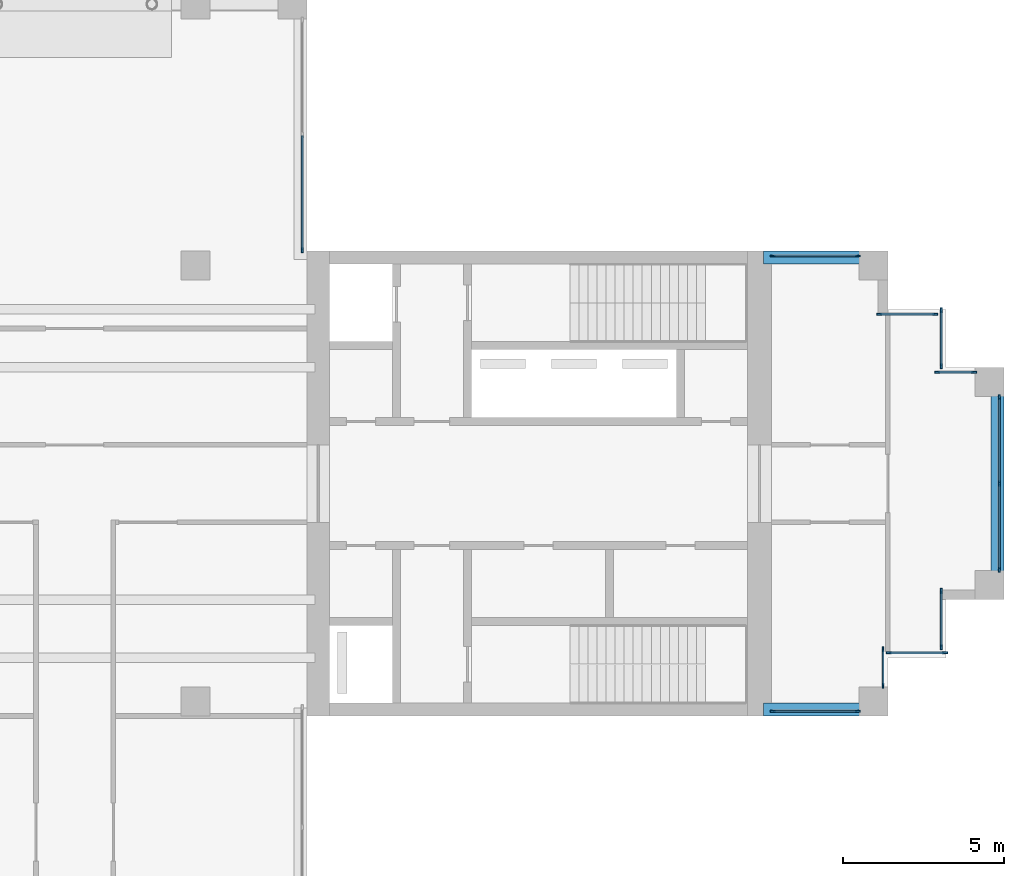
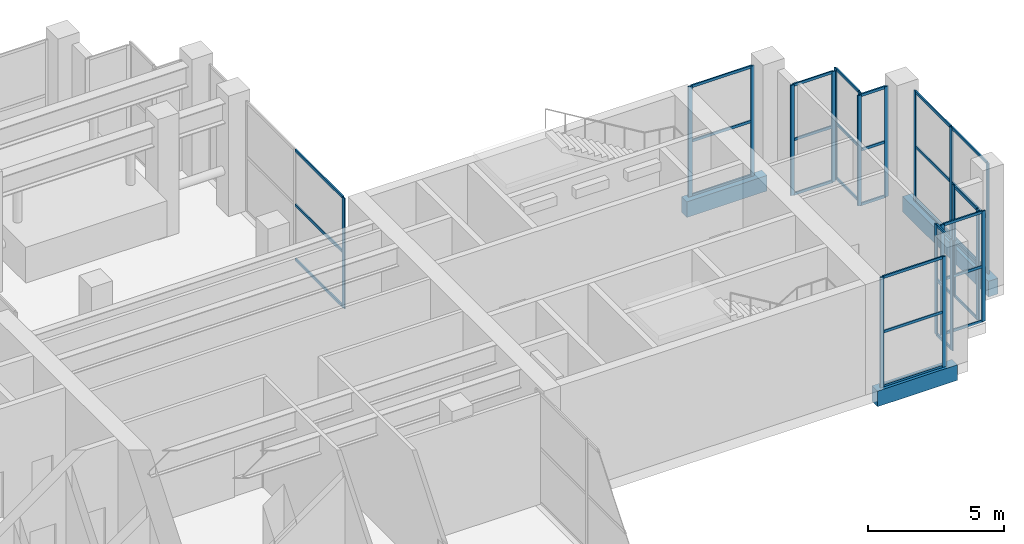
# One storey, part 5 of 13: 53 members, 3 beams, 10 elements without a shape of their own.
"""IFC4 building model written with IfcOpenShell, lengths in metres."""

from ifc_helpers import new_model, si_unit, direction, frame, origin, origin_2d, place, context, subcontext, project, spatial, rectangle, extrude, material, material_profile, profile_set, type_object, element, aggregate, save


model = new_model("IFC4")

# Units and contexts
model_context = context("Model", 3, precision=1e-05, world=origin(), true_north=direction((0.0, 1.0)))
body_context = subcontext(model_context, "Body", "Model", "MODEL_VIEW")
ifc_project = project(units=[si_unit("LENGTHUNIT", "METRE"), si_unit("AREAUNIT", "SQUARE_METRE"), si_unit("VOLUMEUNIT", "CUBIC_METRE"), si_unit("PLANEANGLEUNIT", "RADIAN"), si_unit("MASSUNIT", "GRAM", prefix="KILO")], contexts=[model_context])

# Site, building, storey
site_placement = place(None, origin())
site = spatial("IfcSite", under=ifc_project, at=site_placement, CompositionType="ELEMENT")
building_placement = place(site_placement, origin())
building = spatial("IfcBuilding", under=site, at=building_placement, Name="Fustian Cross Tower", CompositionType="ELEMENT")
storey_placement = place(building_placement, frame((0.0, 0.0, 242.10009765625)))
storey = spatial("IfcBuildingStorey", under=building, at=storey_placement, Name="L76", CompositionType="ELEMENT", Elevation=242.10009765625)

# Curtain wall, members
ifc_material_1 = material(Name="Glass", Category="glass")
curtain_wall_type = type_object("IfcCurtainWallType", Name="CW5 CURTAIN WALL", PredefinedType="NOTDEFINED", material=ifc_material_1)
curtain_wall_1_placement = place(storey_placement, origin())
curtain_wall_1 = element("IfcCurtainWall", 1, at=curtain_wall_1_placement, inside=storey, type_object=curtain_wall_type, Name="Curtain wall CW5", PredefinedType="NOTDEFINED")
ifc_material_2 = material(Name="Aluminium alloy 6063", Category="aluminium")
ifc_material_profile_1 = material_profile(ifc_material_2, rectangle(XDim=0.06005859375, YDim=0.159912109375, at=origin_2d()), Name="CW5 MULLION 60x160")
ifc_profile_set_1 = profile_set([ifc_material_profile_1], Name="Aluminium alloy 6063")
member_type_1 = type_object("IfcMemberType", Name="CW5 MULLION 60x160", PredefinedType="MULLION", material=ifc_profile_set_1)
member_1_placement = place(storey_placement, frame((21.6298828125, -7.050048828125, 0.0), z_axis=(0.0, 0.0, 1.0), x_axis=(0.0, 1.0, 0.0)))
member_1 = element("IfcMember", 2, at=member_1_placement, type_object=member_type_1, Name="CW5 mullion 1", PredefinedType="MULLION", context=body_context, shape_type="SweptSolid", body=[
    extrude(rectangle(XDim=0.06005859375, YDim=0.159912109375, at=origin_2d()), origin(), (0.0, 0.0, 1.0), 4.949951171875),
])
member_2_placement = place(storey_placement, frame((24.27001953125, -7.050048828125, 0.0), z_axis=(0.0, 0.0, 1.0), x_axis=(0.0, 1.0, 0.0)))
member_2 = element("IfcMember", 3, at=member_2_placement, type_object=member_type_1, Name="CW5 mullion 2", PredefinedType="MULLION", context=body_context, shape_type="SweptSolid", body=[
    extrude(rectangle(XDim=0.06005859375, YDim=0.159912109375, at=origin_2d()), origin(), (0.0, 0.0, 1.0), 4.949951171875),
])

curtain_wall_2_placement = place(storey_placement, origin())
curtain_wall_2 = element("IfcCurtainWall", 4, at=curtain_wall_2_placement, inside=storey, type_object=curtain_wall_type, Name="Curtain wall CW5", PredefinedType="NOTDEFINED")
member_3_placement = place(storey_placement, frame((25.050048828125, -6.27001953125, 0.0), z_axis=(0.0, 0.0, 1.0), x_axis=(-1.0, 0.0, 0.0)))
member_3 = element("IfcMember", 5, at=member_3_placement, type_object=member_type_1, Name="CW5 mullion 1", PredefinedType="MULLION", context=body_context, shape_type="SweptSolid", body=[
    extrude(rectangle(XDim=0.06005859375, YDim=0.159912109375, at=origin_2d()), origin(), (0.0, 0.0, 1.0), 4.949951171875),
])
member_4_placement = place(storey_placement, frame((25.050048828125, -5.1298828125, 0.0), z_axis=(0.0, 0.0, 1.0), x_axis=(-1.0, 0.0, 0.0)))
member_4 = element("IfcMember", 6, at=member_4_placement, type_object=member_type_1, Name="CW5 mullion 2", PredefinedType="MULLION", context=body_context, shape_type="SweptSolid", body=[
    extrude(rectangle(XDim=0.06005859375, YDim=0.159912109375, at=origin_2d()), origin(), (0.0, 0.0, 1.0), 4.949951171875),
])

curtain_wall_3_placement = place(storey_placement, origin())
curtain_wall_3 = element("IfcCurtainWall", 7, at=curtain_wall_3_placement, inside=storey, type_object=curtain_wall_type, Name="Curtain wall CW5", PredefinedType="NOTDEFINED")
member_5_placement = place(storey_placement, frame((25.22998046875, -5.25, 0.0), z_axis=(0.0, 0.0, 1.0), x_axis=(0.0, 1.0, 0.0)))
member_5 = element("IfcMember", 8, at=member_5_placement, type_object=member_type_1, Name="CW5 mullion 1", PredefinedType="MULLION", context=body_context, shape_type="SweptSolid", body=[
    extrude(rectangle(XDim=0.06005859375, YDim=0.159912109375, at=origin_2d()), origin(), (0.0, 0.0, 1.0), 4.949951171875),
])
member_6_placement = place(storey_placement, frame((26.969970703125, -5.25, 0.0), z_axis=(0.0, 0.0, 1.0), x_axis=(0.0, 1.0, 0.0)))
member_6 = element("IfcMember", 9, at=member_6_placement, type_object=member_type_1, Name="CW5 mullion 2", PredefinedType="MULLION", context=body_context, shape_type="SweptSolid", body=[
    extrude(rectangle(XDim=0.06005859375, YDim=0.159912109375, at=origin_2d()), origin(), (0.0, 0.0, 1.0), 4.949951171875),
])

curtain_wall_4_placement = place(storey_placement, origin())
curtain_wall_4 = element("IfcCurtainWall", 10, at=curtain_wall_4_placement, inside=storey, type_object=curtain_wall_type, Name="Curtain wall CW5", PredefinedType="NOTDEFINED")
member_7_placement = place(storey_placement, frame((26.85009765625, -5.070068359375, 0.0), z_axis=(0.0, 0.0, 1.0), x_axis=(-1.0, 0.0, 0.0)))
member_7 = element("IfcMember", 11, at=member_7_placement, type_object=member_type_1, Name="CW5 mullion 1", PredefinedType="MULLION", context=body_context, shape_type="SweptSolid", body=[
    extrude(rectangle(XDim=0.06005859375, YDim=0.159912109375, at=origin_2d()), origin(), (0.0, 0.0, 1.0), 4.949951171875),
])
member_8_placement = place(storey_placement, frame((26.85009765625, -3.330078125, 0.0), z_axis=(0.0, 0.0, 1.0), x_axis=(-1.0, 0.0, 0.0)))
member_8 = element("IfcMember", 12, at=member_8_placement, type_object=member_type_1, Name="CW5 mullion 2", PredefinedType="MULLION", context=body_context, shape_type="SweptSolid", body=[
    extrude(rectangle(XDim=0.06005859375, YDim=0.159912109375, at=origin_2d()), origin(), (0.0, 0.0, 1.0), 4.949951171875),
])

curtain_wall_5_placement = place(storey_placement, origin())
curtain_wall_5 = element("IfcCurtainWall", 13, at=curtain_wall_5_placement, inside=storey, type_object=curtain_wall_type, Name="Curtain wall CW5", PredefinedType="NOTDEFINED")
member_9_placement = place(storey_placement, frame((28.64990234375, -2.669921875, 0.0), z_axis=(0.0, 0.0, 1.0), x_axis=(-1.0, 0.0, 0.0)))
member_9 = element("IfcMember", 14, at=member_9_placement, type_object=member_type_1, Name="CW5 mullion 1", PredefinedType="MULLION", context=body_context, shape_type="SweptSolid", body=[
    extrude(rectangle(XDim=0.06005859375, YDim=0.159912109375, at=origin_2d()), origin(), (0.0, 0.0, 1.0), 4.949951171875),
])
member_10_placement = place(storey_placement, frame((28.64990234375, 0.0, 0.0), z_axis=(0.0, 0.0, 1.0), x_axis=(-1.0, 0.0, 0.0)))
member_10 = element("IfcMember", 15, at=member_10_placement, type_object=member_type_1, Name="CW5 mullion 2", PredefinedType="MULLION", context=body_context, shape_type="SweptSolid", body=[
    extrude(rectangle(XDim=0.06005859375, YDim=0.159912109375, at=origin_2d()), origin(), (0.0, 0.0, 1.0), 4.949951171875),
])
member_11_placement = place(storey_placement, frame((28.64990234375, 2.669921875, 0.0), z_axis=(0.0, 0.0, 1.0), x_axis=(-1.0, 0.0, 0.0)))
member_11 = element("IfcMember", 16, at=member_11_placement, type_object=member_type_1, Name="CW5 mullion 3", PredefinedType="MULLION", context=body_context, shape_type="SweptSolid", body=[
    extrude(rectangle(XDim=0.06005859375, YDim=0.159912109375, at=origin_2d()), origin(), (0.0, 0.0, 1.0), 4.949951171875),
])

curtain_wall_6_placement = place(storey_placement, origin())
curtain_wall_6 = element("IfcCurtainWall", 17, at=curtain_wall_6_placement, inside=storey, type_object=curtain_wall_type, Name="Curtain wall CW5", PredefinedType="NOTDEFINED")
member_12_placement = place(storey_placement, frame((27.8701171875, 3.449951171875, 0.0), z_axis=(0.0, 0.0, 1.0), x_axis=(0.0, -1.0, 0.0)))
member_12 = element("IfcMember", 18, at=member_12_placement, type_object=member_type_1, Name="CW5 mullion 1", PredefinedType="MULLION", context=body_context, shape_type="SweptSolid", body=[
    extrude(rectangle(XDim=0.06005859375, YDim=0.159912109375, at=origin_2d()), origin(), (0.0, 0.0, 1.0), 4.949951171875),
])
member_13_placement = place(storey_placement, frame((26.72998046875, 3.449951171875, 0.0), z_axis=(0.0, 0.0, 1.0), x_axis=(0.0, -1.0, 0.0)))
member_13 = element("IfcMember", 19, at=member_13_placement, type_object=member_type_1, Name="CW5 mullion 2", PredefinedType="MULLION", context=body_context, shape_type="SweptSolid", body=[
    extrude(rectangle(XDim=0.06005859375, YDim=0.159912109375, at=origin_2d()), origin(), (0.0, 0.0, 1.0), 4.949951171875),
])

curtain_wall_7_placement = place(storey_placement, origin())
curtain_wall_7 = element("IfcCurtainWall", 20, at=curtain_wall_7_placement, inside=storey, type_object=curtain_wall_type, Name="Curtain wall CW5", PredefinedType="NOTDEFINED")
member_14_placement = place(storey_placement, frame((26.85009765625, 3.6298828125, 0.0), z_axis=(0.0, 0.0, 1.0), x_axis=(-1.0, 0.0, 0.0)))
member_14 = element("IfcMember", 21, at=member_14_placement, type_object=member_type_1, Name="CW5 mullion 1", PredefinedType="MULLION", context=body_context, shape_type="SweptSolid", body=[
    extrude(rectangle(XDim=0.06005859375, YDim=0.159912109375, at=origin_2d()), origin(), (0.0, 0.0, 1.0), 4.949951171875),
])
member_15_placement = place(storey_placement, frame((26.85009765625, 5.3701171875, 0.0), z_axis=(0.0, 0.0, 1.0), x_axis=(-1.0, 0.0, 0.0)))
member_15 = element("IfcMember", 22, at=member_15_placement, type_object=member_type_1, Name="CW5 mullion 2", PredefinedType="MULLION", context=body_context, shape_type="SweptSolid", body=[
    extrude(rectangle(XDim=0.06005859375, YDim=0.159912109375, at=origin_2d()), origin(), (0.0, 0.0, 1.0), 4.949951171875),
])

curtain_wall_8_placement = place(storey_placement, origin())
curtain_wall_8 = element("IfcCurtainWall", 23, at=curtain_wall_8_placement, inside=storey, type_object=curtain_wall_type, Name="Curtain wall CW5", PredefinedType="NOTDEFINED")
member_16_placement = place(storey_placement, frame((26.669921875, 5.25, 0.0), z_axis=(0.0, 0.0, 1.0), x_axis=(0.0, -1.0, 0.0)))
member_16 = element("IfcMember", 24, at=member_16_placement, type_object=member_type_1, Name="CW5 mullion 1", PredefinedType="MULLION", context=body_context, shape_type="SweptSolid", body=[
    extrude(rectangle(XDim=0.06005859375, YDim=0.159912109375, at=origin_2d()), origin(), (0.0, 0.0, 1.0), 4.949951171875),
])
member_17_placement = place(storey_placement, frame((24.929931640625, 5.25, 0.0), z_axis=(0.0, 0.0, 1.0), x_axis=(0.0, -1.0, 0.0)))
member_17 = element("IfcMember", 25, at=member_17_placement, type_object=member_type_1, Name="CW5 mullion 2", PredefinedType="MULLION", context=body_context, shape_type="SweptSolid", body=[
    extrude(rectangle(XDim=0.06005859375, YDim=0.159912109375, at=origin_2d()), origin(), (0.0, 0.0, 1.0), 4.949951171875),
])

curtain_wall_9_placement = place(storey_placement, origin())
curtain_wall_9 = element("IfcCurtainWall", 26, at=curtain_wall_9_placement, inside=storey, type_object=curtain_wall_type, Name="Curtain wall CW5", PredefinedType="NOTDEFINED")
member_18_placement = place(storey_placement, frame((24.27001953125, 7.050048828125, 0.0), z_axis=(0.0, 0.0, 1.0), x_axis=(0.0, -1.0, 0.0)))
member_18 = element("IfcMember", 27, at=member_18_placement, type_object=member_type_1, Name="CW5 mullion 1", PredefinedType="MULLION", context=body_context, shape_type="SweptSolid", body=[
    extrude(rectangle(XDim=0.06005859375, YDim=0.159912109375, at=origin_2d()), origin(), (0.0, 0.0, 1.0), 4.949951171875),
])
member_19_placement = place(storey_placement, frame((21.6298828125, 7.050048828125, 0.0), z_axis=(0.0, 0.0, 1.0), x_axis=(0.0, -1.0, 0.0)))
member_19 = element("IfcMember", 28, at=member_19_placement, type_object=member_type_1, Name="CW5 mullion 2", PredefinedType="MULLION", context=body_context, shape_type="SweptSolid", body=[
    extrude(rectangle(XDim=0.06005859375, YDim=0.159912109375, at=origin_2d()), origin(), (0.0, 0.0, 1.0), 4.949951171875),
])

# Curtain wall, member
curtain_wall_10_placement = place(storey_placement, origin())
curtain_wall_10 = element("IfcCurtainWall", 29, at=curtain_wall_10_placement, inside=storey, type_object=curtain_wall_type, Name="Curtain wall CW5", PredefinedType="NOTDEFINED")
member_20_placement = place(storey_placement, frame((7.050048828125, 7.22998046875, 0.0), z_axis=(0.0, 0.0, 1.0), x_axis=(-1.0, 0.0, 0.0)))
member_20 = element("IfcMember", 30, at=member_20_placement, type_object=member_type_1, Name="CW5 mullion 1", PredefinedType="MULLION", context=body_context, shape_type="SweptSolid", body=[
    extrude(rectangle(XDim=0.06005859375, YDim=0.159912109375, at=origin_2d()), origin(), (0.0, 0.0, 1.0), 4.949951171875),
])

# Member
ifc_material_3 = material(Name="Aluminium alloy 6063", Category="aluminium")
ifc_material_profile_2 = material_profile(ifc_material_3, rectangle(XDim=0.06005859375, YDim=0.1201171875, at=origin_2d()), Name="CW5 TRANSOM 60x120")
ifc_profile_set_2 = profile_set([ifc_material_profile_2], Name="Aluminium alloy 6063")
member_type_2 = type_object("IfcMemberType", Name="CW5 TRANSOM 60x120", PredefinedType="USERDEFINED", material=ifc_profile_set_2)
member_21_placement = place(storey_placement, frame((21.659912109375, -7.050048828125, 0.02978515625), z_axis=(1.0, 0.0, 0.0), x_axis=(0.0, 1.0, 0.0)))
member_21 = element("IfcMember", 31, at=member_21_placement, type_object=member_type_2, Name="CW5 transom 1.1", ObjectType="TRANSOM", PredefinedType="USERDEFINED", context=body_context, shape_type="SweptSolid", body=[
    extrude(rectangle(XDim=0.06005859375, YDim=0.1201171875, at=origin_2d()), origin(), (0.0, 0.0, 1.0), 2.580078125),
])

member_22_placement = place(storey_placement, frame((21.659912109375, -7.050048828125, 2.474853515625), z_axis=(1.0, 0.0, 0.0), x_axis=(0.0, 1.0, 0.0)))
member_22 = element("IfcMember", 32, at=member_22_placement, type_object=member_type_2, Name="CW5 transom 1.2", ObjectType="TRANSOM", PredefinedType="USERDEFINED", context=body_context, shape_type="SweptSolid", body=[
    extrude(rectangle(XDim=0.06005859375, YDim=0.1201171875, at=origin_2d()), origin(), (0.0, 0.0, 1.0), 2.580078125),
])

member_23_placement = place(storey_placement, frame((21.659912109375, -7.050048828125, 4.919921875), z_axis=(1.0, 0.0, 0.0), x_axis=(0.0, 1.0, 0.0)))
member_23 = element("IfcMember", 33, at=member_23_placement, type_object=member_type_2, Name="CW5 transom 1.3", ObjectType="TRANSOM", PredefinedType="USERDEFINED", context=body_context, shape_type="SweptSolid", body=[
    extrude(rectangle(XDim=0.06005859375, YDim=0.1201171875, at=origin_2d()), origin(), (0.0, 0.0, 1.0), 2.580078125),
])

aggregate(curtain_wall_1, [member_1, member_2, member_21, member_22, member_23])

member_24_placement = place(storey_placement, frame((25.050048828125, -6.239990234375, 0.02978515625), z_axis=(0.0, 1.0, 0.0), x_axis=(-1.0, 0.0, 0.0)))
member_24 = element("IfcMember", 34, at=member_24_placement, type_object=member_type_2, Name="CW5 transom 1.1", ObjectType="TRANSOM", PredefinedType="USERDEFINED", context=body_context, shape_type="SweptSolid", body=[
    extrude(rectangle(XDim=0.06005859375, YDim=0.1201171875, at=origin_2d()), origin(), (0.0, 0.0, 1.0), 1.080078125),
])

member_25_placement = place(storey_placement, frame((25.050048828125, -6.239990234375, 2.474853515625), z_axis=(0.0, 1.0, 0.0), x_axis=(-1.0, 0.0, 0.0)))
member_25 = element("IfcMember", 35, at=member_25_placement, type_object=member_type_2, Name="CW5 transom 1.2", ObjectType="TRANSOM", PredefinedType="USERDEFINED", context=body_context, shape_type="SweptSolid", body=[
    extrude(rectangle(XDim=0.06005859375, YDim=0.1201171875, at=origin_2d()), origin(), (0.0, 0.0, 1.0), 1.080078125),
])

member_26_placement = place(storey_placement, frame((25.050048828125, -6.239990234375, 4.919921875), z_axis=(0.0, 1.0, 0.0), x_axis=(-1.0, 0.0, 0.0)))
member_26 = element("IfcMember", 36, at=member_26_placement, type_object=member_type_2, Name="CW5 transom 1.3", ObjectType="TRANSOM", PredefinedType="USERDEFINED", context=body_context, shape_type="SweptSolid", body=[
    extrude(rectangle(XDim=0.06005859375, YDim=0.1201171875, at=origin_2d()), origin(), (0.0, 0.0, 1.0), 1.080078125),
])

aggregate(curtain_wall_2, [member_3, member_4, member_24, member_25, member_26])

member_27_placement = place(storey_placement, frame((25.260009765625, -5.25, 0.02978515625), z_axis=(1.0, 0.0, 0.0), x_axis=(0.0, 1.0, 0.0)))
member_27 = element("IfcMember", 37, at=member_27_placement, type_object=member_type_2, Name="CW5 transom 1.1", ObjectType="TRANSOM", PredefinedType="USERDEFINED", context=body_context, shape_type="SweptSolid", body=[
    extrude(rectangle(XDim=0.06005859375, YDim=0.1201171875, at=origin_2d()), origin(), (0.0, 0.0, 1.0), 1.679931640625),
])

member_28_placement = place(storey_placement, frame((25.260009765625, -5.25, 2.474853515625), z_axis=(1.0, 0.0, 0.0), x_axis=(0.0, 1.0, 0.0)))
member_28 = element("IfcMember", 38, at=member_28_placement, type_object=member_type_2, Name="CW5 transom 1.2", ObjectType="TRANSOM", PredefinedType="USERDEFINED", context=body_context, shape_type="SweptSolid", body=[
    extrude(rectangle(XDim=0.06005859375, YDim=0.1201171875, at=origin_2d()), origin(), (0.0, 0.0, 1.0), 1.679931640625),
])

member_29_placement = place(storey_placement, frame((25.260009765625, -5.25, 4.919921875), z_axis=(1.0, 0.0, 0.0), x_axis=(0.0, 1.0, 0.0)))
member_29 = element("IfcMember", 39, at=member_29_placement, type_object=member_type_2, Name="CW5 transom 1.3", ObjectType="TRANSOM", PredefinedType="USERDEFINED", context=body_context, shape_type="SweptSolid", body=[
    extrude(rectangle(XDim=0.06005859375, YDim=0.1201171875, at=origin_2d()), origin(), (0.0, 0.0, 1.0), 1.679931640625),
])

aggregate(curtain_wall_3, [member_5, member_6, member_27, member_28, member_29])

member_30_placement = place(storey_placement, frame((26.85009765625, -5.0400390625, 0.02978515625), z_axis=(0.0, 1.0, 0.0), x_axis=(-1.0, 0.0, 0.0)))
member_30 = element("IfcMember", 40, at=member_30_placement, type_object=member_type_2, Name="CW5 transom 1.1", ObjectType="TRANSOM", PredefinedType="USERDEFINED", context=body_context, shape_type="SweptSolid", body=[
    extrude(rectangle(XDim=0.06005859375, YDim=0.1201171875, at=origin_2d()), origin(), (0.0, 0.0, 1.0), 1.679931640625),
])

member_31_placement = place(storey_placement, frame((26.85009765625, -5.0400390625, 2.474853515625), z_axis=(0.0, 1.0, 0.0), x_axis=(-1.0, 0.0, 0.0)))
member_31 = element("IfcMember", 41, at=member_31_placement, type_object=member_type_2, Name="CW5 transom 1.2", ObjectType="TRANSOM", PredefinedType="USERDEFINED", context=body_context, shape_type="SweptSolid", body=[
    extrude(rectangle(XDim=0.06005859375, YDim=0.1201171875, at=origin_2d()), origin(), (0.0, 0.0, 1.0), 1.679931640625),
])

member_32_placement = place(storey_placement, frame((26.85009765625, -5.0400390625, 4.919921875), z_axis=(0.0, 1.0, 0.0), x_axis=(-1.0, 0.0, 0.0)))
member_32 = element("IfcMember", 42, at=member_32_placement, type_object=member_type_2, Name="CW5 transom 1.3", ObjectType="TRANSOM", PredefinedType="USERDEFINED", context=body_context, shape_type="SweptSolid", body=[
    extrude(rectangle(XDim=0.06005859375, YDim=0.1201171875, at=origin_2d()), origin(), (0.0, 0.0, 1.0), 1.679931640625),
])

aggregate(curtain_wall_4, [member_7, member_8, member_30, member_31, member_32])

member_33_placement = place(storey_placement, frame((28.64990234375, -2.639892578125, 0.02978515625), z_axis=(0.0, 1.0, 0.0), x_axis=(-1.0, 0.0, 0.0)))
member_33 = element("IfcMember", 43, at=member_33_placement, type_object=member_type_2, Name="CW5 transom 1.1", ObjectType="TRANSOM", PredefinedType="USERDEFINED", context=body_context, shape_type="SweptSolid", body=[
    extrude(rectangle(XDim=0.06005859375, YDim=0.1201171875, at=origin_2d()), origin(), (0.0, 0.0, 1.0), 2.60986328125),
])

member_34_placement = place(storey_placement, frame((28.64990234375, -2.639892578125, 2.474853515625), z_axis=(0.0, 1.0, 0.0), x_axis=(-1.0, 0.0, 0.0)))
member_34 = element("IfcMember", 44, at=member_34_placement, type_object=member_type_2, Name="CW5 transom 1.2", ObjectType="TRANSOM", PredefinedType="USERDEFINED", context=body_context, shape_type="SweptSolid", body=[
    extrude(rectangle(XDim=0.06005859375, YDim=0.1201171875, at=origin_2d()), origin(), (0.0, 0.0, 1.0), 2.60986328125),
])

member_35_placement = place(storey_placement, frame((28.64990234375, -2.639892578125, 4.919921875), z_axis=(0.0, 1.0, 0.0), x_axis=(-1.0, 0.0, 0.0)))
member_35 = element("IfcMember", 45, at=member_35_placement, type_object=member_type_2, Name="CW5 transom 1.3", ObjectType="TRANSOM", PredefinedType="USERDEFINED", context=body_context, shape_type="SweptSolid", body=[
    extrude(rectangle(XDim=0.06005859375, YDim=0.1201171875, at=origin_2d()), origin(), (0.0, 0.0, 1.0), 2.60986328125),
])

member_36_placement = place(storey_placement, frame((28.64990234375, 0.030029296875, 0.02978515625), z_axis=(0.0, 1.0, 0.0), x_axis=(-1.0, 0.0, 0.0)))
member_36 = element("IfcMember", 46, at=member_36_placement, type_object=member_type_2, Name="CW5 transom 2.1", ObjectType="TRANSOM", PredefinedType="USERDEFINED", context=body_context, shape_type="SweptSolid", body=[
    extrude(rectangle(XDim=0.06005859375, YDim=0.1201171875, at=origin_2d()), origin(), (0.0, 0.0, 1.0), 2.60986328125),
])

member_37_placement = place(storey_placement, frame((28.64990234375, 0.030029296875, 2.474853515625), z_axis=(0.0, 1.0, 0.0), x_axis=(-1.0, 0.0, 0.0)))
member_37 = element("IfcMember", 47, at=member_37_placement, type_object=member_type_2, Name="CW5 transom 2.2", ObjectType="TRANSOM", PredefinedType="USERDEFINED", context=body_context, shape_type="SweptSolid", body=[
    extrude(rectangle(XDim=0.06005859375, YDim=0.1201171875, at=origin_2d()), origin(), (0.0, 0.0, 1.0), 2.60986328125),
])

member_38_placement = place(storey_placement, frame((28.64990234375, 0.030029296875, 4.919921875), z_axis=(0.0, 1.0, 0.0), x_axis=(-1.0, 0.0, 0.0)))
member_38 = element("IfcMember", 48, at=member_38_placement, type_object=member_type_2, Name="CW5 transom 2.3", ObjectType="TRANSOM", PredefinedType="USERDEFINED", context=body_context, shape_type="SweptSolid", body=[
    extrude(rectangle(XDim=0.06005859375, YDim=0.1201171875, at=origin_2d()), origin(), (0.0, 0.0, 1.0), 2.60986328125),
])

aggregate(curtain_wall_5, [member_9, member_10, member_11, member_33, member_34, member_35, member_36, member_37, member_38])

member_39_placement = place(storey_placement, frame((27.840087890625, 3.449951171875, 0.02978515625), z_axis=(-1.0, 0.0, 0.0), x_axis=(0.0, -1.0, 0.0)))
member_39 = element("IfcMember", 49, at=member_39_placement, type_object=member_type_2, Name="CW5 transom 1.1", ObjectType="TRANSOM", PredefinedType="USERDEFINED", context=body_context, shape_type="SweptSolid", body=[
    extrude(rectangle(XDim=0.06005859375, YDim=0.1201171875, at=origin_2d()), origin(), (0.0, 0.0, 1.0), 1.080078125),
])

member_40_placement = place(storey_placement, frame((27.840087890625, 3.449951171875, 2.474853515625), z_axis=(-1.0, 0.0, 0.0), x_axis=(0.0, -1.0, 0.0)))
member_40 = element("IfcMember", 50, at=member_40_placement, type_object=member_type_2, Name="CW5 transom 1.2", ObjectType="TRANSOM", PredefinedType="USERDEFINED", context=body_context, shape_type="SweptSolid", body=[
    extrude(rectangle(XDim=0.06005859375, YDim=0.1201171875, at=origin_2d()), origin(), (0.0, 0.0, 1.0), 1.080078125),
])

member_41_placement = place(storey_placement, frame((27.840087890625, 3.449951171875, 4.919921875), z_axis=(-1.0, 0.0, 0.0), x_axis=(0.0, -1.0, 0.0)))
member_41 = element("IfcMember", 51, at=member_41_placement, type_object=member_type_2, Name="CW5 transom 1.3", ObjectType="TRANSOM", PredefinedType="USERDEFINED", context=body_context, shape_type="SweptSolid", body=[
    extrude(rectangle(XDim=0.06005859375, YDim=0.1201171875, at=origin_2d()), origin(), (0.0, 0.0, 1.0), 1.080078125),
])

aggregate(curtain_wall_6, [member_12, member_13, member_39, member_40, member_41])

member_42_placement = place(storey_placement, frame((26.85009765625, 3.659912109375, 0.02978515625), z_axis=(0.0, 1.0, 0.0), x_axis=(-1.0, 0.0, 0.0)))
member_42 = element("IfcMember", 52, at=member_42_placement, type_object=member_type_2, Name="CW5 transom 1.1", ObjectType="TRANSOM", PredefinedType="USERDEFINED", context=body_context, shape_type="SweptSolid", body=[
    extrude(rectangle(XDim=0.06005859375, YDim=0.1201171875, at=origin_2d()), origin(), (0.0, 0.0, 1.0), 1.68017578125),
])

member_43_placement = place(storey_placement, frame((26.85009765625, 3.659912109375, 2.474853515625), z_axis=(0.0, 1.0, 0.0), x_axis=(-1.0, 0.0, 0.0)))
member_43 = element("IfcMember", 53, at=member_43_placement, type_object=member_type_2, Name="CW5 transom 1.2", ObjectType="TRANSOM", PredefinedType="USERDEFINED", context=body_context, shape_type="SweptSolid", body=[
    extrude(rectangle(XDim=0.06005859375, YDim=0.1201171875, at=origin_2d()), origin(), (0.0, 0.0, 1.0), 1.68017578125),
])

member_44_placement = place(storey_placement, frame((26.85009765625, 3.659912109375, 4.919921875), z_axis=(0.0, 1.0, 0.0), x_axis=(-1.0, 0.0, 0.0)))
member_44 = element("IfcMember", 54, at=member_44_placement, type_object=member_type_2, Name="CW5 transom 1.3", ObjectType="TRANSOM", PredefinedType="USERDEFINED", context=body_context, shape_type="SweptSolid", body=[
    extrude(rectangle(XDim=0.06005859375, YDim=0.1201171875, at=origin_2d()), origin(), (0.0, 0.0, 1.0), 1.68017578125),
])

aggregate(curtain_wall_7, [member_14, member_15, member_42, member_43, member_44])

member_45_placement = place(storey_placement, frame((26.639892578125, 5.25, 0.02978515625), z_axis=(-1.0, 0.0, 0.0), x_axis=(0.0, -1.0, 0.0)))
member_45 = element("IfcMember", 55, at=member_45_placement, type_object=member_type_2, Name="CW5 transom 1.1", ObjectType="TRANSOM", PredefinedType="USERDEFINED", context=body_context, shape_type="SweptSolid", body=[
    extrude(rectangle(XDim=0.06005859375, YDim=0.1201171875, at=origin_2d()), origin(), (0.0, 0.0, 1.0), 1.679931640625),
])

member_46_placement = place(storey_placement, frame((26.639892578125, 5.25, 2.474853515625), z_axis=(-1.0, 0.0, 0.0), x_axis=(0.0, -1.0, 0.0)))
member_46 = element("IfcMember", 56, at=member_46_placement, type_object=member_type_2, Name="CW5 transom 1.2", ObjectType="TRANSOM", PredefinedType="USERDEFINED", context=body_context, shape_type="SweptSolid", body=[
    extrude(rectangle(XDim=0.06005859375, YDim=0.1201171875, at=origin_2d()), origin(), (0.0, 0.0, 1.0), 1.679931640625),
])

member_47_placement = place(storey_placement, frame((26.639892578125, 5.25, 4.919921875), z_axis=(-1.0, 0.0, 0.0), x_axis=(0.0, -1.0, 0.0)))
member_47 = element("IfcMember", 57, at=member_47_placement, type_object=member_type_2, Name="CW5 transom 1.3", ObjectType="TRANSOM", PredefinedType="USERDEFINED", context=body_context, shape_type="SweptSolid", body=[
    extrude(rectangle(XDim=0.06005859375, YDim=0.1201171875, at=origin_2d()), origin(), (0.0, 0.0, 1.0), 1.679931640625),
])

aggregate(curtain_wall_8, [member_16, member_17, member_45, member_46, member_47])

member_48_placement = place(storey_placement, frame((24.239990234375, 7.050048828125, 0.02978515625), z_axis=(-1.0, 0.0, 0.0), x_axis=(0.0, -1.0, 0.0)))
member_48 = element("IfcMember", 58, at=member_48_placement, type_object=member_type_2, Name="CW5 transom 1.1", ObjectType="TRANSOM", PredefinedType="USERDEFINED", context=body_context, shape_type="SweptSolid", body=[
    extrude(rectangle(XDim=0.06005859375, YDim=0.1201171875, at=origin_2d()), origin(), (0.0, 0.0, 1.0), 2.580078125),
])

member_49_placement = place(storey_placement, frame((24.239990234375, 7.050048828125, 2.474853515625), z_axis=(-1.0, 0.0, 0.0), x_axis=(0.0, -1.0, 0.0)))
member_49 = element("IfcMember", 59, at=member_49_placement, type_object=member_type_2, Name="CW5 transom 1.2", ObjectType="TRANSOM", PredefinedType="USERDEFINED", context=body_context, shape_type="SweptSolid", body=[
    extrude(rectangle(XDim=0.06005859375, YDim=0.1201171875, at=origin_2d()), origin(), (0.0, 0.0, 1.0), 2.580078125),
])

member_50_placement = place(storey_placement, frame((24.239990234375, 7.050048828125, 4.919921875), z_axis=(-1.0, 0.0, 0.0), x_axis=(0.0, -1.0, 0.0)))
member_50 = element("IfcMember", 60, at=member_50_placement, type_object=member_type_2, Name="CW5 transom 1.3", ObjectType="TRANSOM", PredefinedType="USERDEFINED", context=body_context, shape_type="SweptSolid", body=[
    extrude(rectangle(XDim=0.06005859375, YDim=0.1201171875, at=origin_2d()), origin(), (0.0, 0.0, 1.0), 2.580078125),
])

aggregate(curtain_wall_9, [member_18, member_19, member_48, member_49, member_50])

member_51_placement = place(storey_placement, frame((7.050048828125, 7.260009765625, 0.02978515625), z_axis=(0.0, 1.0, 0.0), x_axis=(-1.0, 0.0, 0.0)))
member_51 = element("IfcMember", 61, at=member_51_placement, type_object=member_type_2, Name="CW5 transom 1.1", ObjectType="TRANSOM", PredefinedType="USERDEFINED", context=body_context, shape_type="SweptSolid", body=[
    extrude(rectangle(XDim=0.06005859375, YDim=0.1201171875, at=origin_2d()), origin(), (0.0, 0.0, 1.0), 3.510009765625),
])

member_52_placement = place(storey_placement, frame((7.050048828125, 7.260009765625, 2.474853515625), z_axis=(0.0, 1.0, 0.0), x_axis=(-1.0, 0.0, 0.0)))
member_52 = element("IfcMember", 62, at=member_52_placement, type_object=member_type_2, Name="CW5 transom 1.2", ObjectType="TRANSOM", PredefinedType="USERDEFINED", context=body_context, shape_type="SweptSolid", body=[
    extrude(rectangle(XDim=0.06005859375, YDim=0.1201171875, at=origin_2d()), origin(), (0.0, 0.0, 1.0), 3.510009765625),
])

member_53_placement = place(storey_placement, frame((7.050048828125, 7.260009765625, 4.919921875), z_axis=(0.0, 1.0, 0.0), x_axis=(-1.0, 0.0, 0.0)))
member_53 = element("IfcMember", 63, at=member_53_placement, type_object=member_type_2, Name="CW5 transom 1.3", ObjectType="TRANSOM", PredefinedType="USERDEFINED", context=body_context, shape_type="SweptSolid", body=[
    extrude(rectangle(XDim=0.06005859375, YDim=0.1201171875, at=origin_2d()), origin(), (0.0, 0.0, 1.0), 3.510009765625),
])

aggregate(curtain_wall_10, [member_20, member_51, member_52, member_53])

# Beams
ifc_material_4 = material(Name="Concrete C50/60", Category="concrete")
ifc_material_profile_3 = material_profile(ifc_material_4, rectangle(XDim=0.39990234375, YDim=0.699951171875, at=origin_2d()), Name="RC 400x700")
ifc_profile_set_3 = profile_set([ifc_material_profile_3], Name="Concrete C50/60")
beam_type = type_object("IfcBeamType", Name="EDGE BEAM RC 400x700 C50/60", PredefinedType="SPANDREL", material=ifc_profile_set_3)
beam_1_placement = place(storey_placement, frame((21.35009765625, -7.0, -0.35009765625), z_axis=(1.0, 0.0, 0.0), x_axis=(0.0, 1.0, 0.0)))
element("IfcBeam", 64, at=beam_1_placement, inside=storey, type_object=beam_type, Name="EDGE BEAM L76-01", PredefinedType="SPANDREL", context=body_context, shape_type="SweptSolid", body=[
    extrude(rectangle(XDim=0.39990234375, YDim=0.699951171875, at=origin_2d()), origin(), (0.0, 0.0, 1.0), 3.39990234375),
])
beam_2_placement = place(storey_placement, frame((28.60009765625, -3.14990234375, -0.35009765625), z_axis=(0.0, 1.0, 0.0), x_axis=(-1.0, 0.0, 0.0)))
element("IfcBeam", 65, at=beam_2_placement, inside=storey, type_object=beam_type, Name="EDGE BEAM L76-02", PredefinedType="SPANDREL", context=body_context, shape_type="SweptSolid", body=[
    extrude(rectangle(XDim=0.39990234375, YDim=0.699951171875, at=origin_2d()), origin(), (0.0, 0.0, 1.0), 6.2998046875),
])
beam_3_placement = place(storey_placement, frame((24.75, 7.0, -0.35009765625), z_axis=(-1.0, 0.0, 0.0), x_axis=(0.0, -1.0, 0.0)))
element("IfcBeam", 66, at=beam_3_placement, inside=storey, type_object=beam_type, Name="EDGE BEAM L76-03", PredefinedType="SPANDREL", context=body_context, shape_type="SweptSolid", body=[
    extrude(rectangle(XDim=0.39990234375, YDim=0.699951171875, at=origin_2d()), origin(), (0.0, 0.0, 1.0), 3.39990234375),
])

save(model, "model.ifc")
